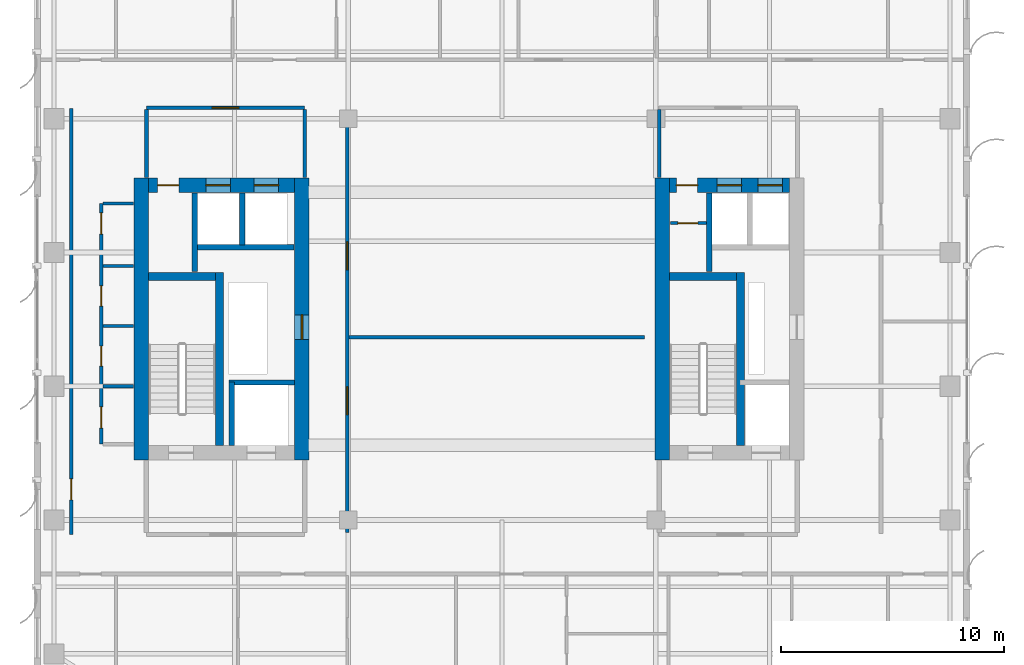
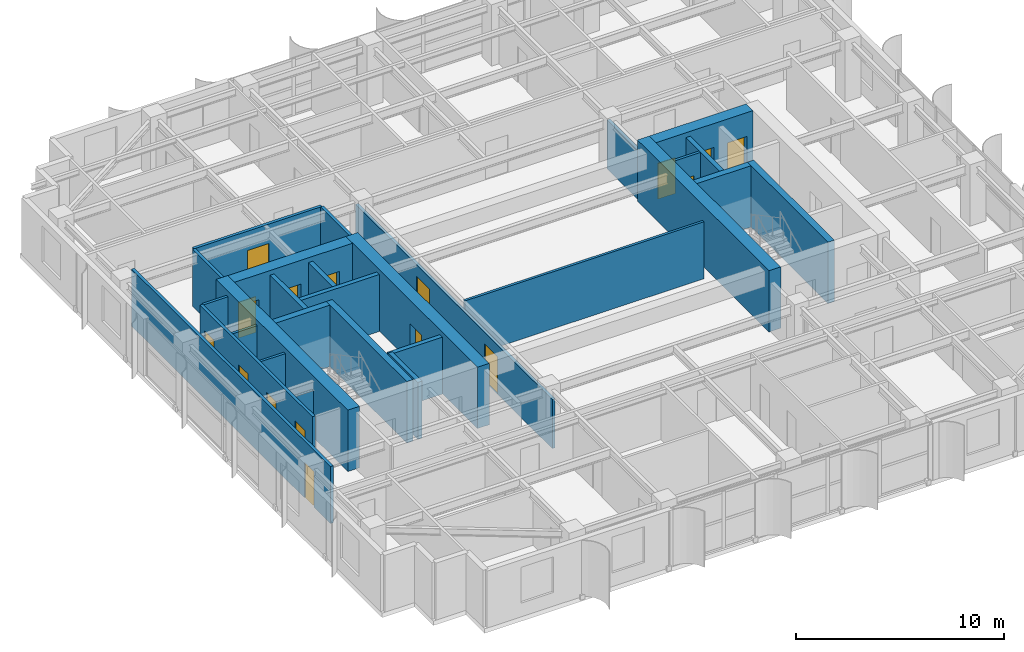
# One storey, part 20 of 25: 28 walls, 16 doors, 16 openings.
"""IFC4 building model written with IfcOpenShell, lengths in metres."""

from ifc_helpers import new_model, si_unit, direction, frame, frame_2d, origin, place, context, subcontext, project, spatial, rectangle, extrude, source, transform, mapped, material, layer, layer_set, type_object, element, fill, save


model = new_model("IFC4")

# Units and contexts
model_context = context("Model", 3, precision=1e-05, world=origin(), true_north=direction((0.0, 1.0)))
body_context = subcontext(model_context, "Body", "Model", "MODEL_VIEW")
ifc_project = project(units=[si_unit("LENGTHUNIT", "METRE"), si_unit("AREAUNIT", "SQUARE_METRE"), si_unit("VOLUMEUNIT", "CUBIC_METRE"), si_unit("PLANEANGLEUNIT", "RADIAN"), si_unit("MASSUNIT", "GRAM", prefix="KILO")], contexts=[model_context])

# Site, building, storey
site_placement = place(None, origin())
site = spatial("IfcSite", under=ifc_project, at=site_placement, CompositionType="ELEMENT")
building_placement = place(site_placement, origin())
building = spatial("IfcBuilding", under=site, at=building_placement, Name="Khoralis Quay Care Tower", CompositionType="ELEMENT")
storey_placement = place(building_placement, frame((0.0, 0.0, 166.5)))
storey = spatial("IfcBuildingStorey", under=building, at=storey_placement, Name="L43", CompositionType="ELEMENT", Elevation=166.5)

# Wall
ifc_material_1 = material(Name="Concrete C65/80", Category="concrete")
ifc_layer_1 = layer(ifc_material_1, 0.64990234375)
ifc_layer_set_1 = layer_set([ifc_layer_1], Name="Concrete C65/80")
wall_type_1 = type_object("IfcWallType", Name="WL-CORE-650", PredefinedType="SHEAR", material=ifc_layer_set_1)
wall_1_placement = place(storey_placement, frame((7.824951171875, 14.699951171875, 0.0), z_axis=(0.0, 0.0, 1.0), x_axis=(0.0, 1.0, 0.0)))
element("IfcWall", 1, at=wall_1_placement, inside=storey, type_object=wall_type_1, Name="L43 WCORE West Shear Wall", PredefinedType="SHEAR", context=body_context, shape_type="SweptSolid", body=[
    extrude(rectangle(XDim=12.650146484375, YDim=0.64990234375, at=frame_2d((6.3251953125, 0.0))), origin(), (0.0, 0.0, 1.0), 3.60009765625),
])

# Wall, opening, door
wall_2_placement = place(storey_placement, frame((15.02490234375, 14.699951171875, 0.0), z_axis=(0.0, 0.0, 1.0), x_axis=(0.0, 1.0, 0.0)))
wall_2 = element("IfcWall", 2, at=wall_2_placement, inside=storey, type_object=wall_type_1, Name="L43 WCORE East Shear Wall", PredefinedType="SHEAR", context=body_context, shape_type="SweptSolid", body=[
    extrude(rectangle(XDim=12.650146484375, YDim=0.64990234375, at=frame_2d((6.3251953125, 0.0))), origin(), (0.0, 0.0, 1.0), 3.60009765625),
])
opening_1_placement = place(wall_2_placement, frame((5.39990234375, 0.0, 0.0)))
opening_1 = element("IfcOpeningElement", 3, at=opening_1_placement, cuts=wall_2, Name="Opening SD1", PredefinedType="OPENING", context=body_context, shape_type="SweptSolid", body=[
    extrude(rectangle(XDim=1.10009765625, YDim=2.199951171875, at=frame_2d((0.550048828125, 1.10009765625))), frame((0.0, 0.3349609375, 0.0), z_axis=(0.0, -1.0, 0.0), x_axis=(1.0, 0.0, 0.0)), (0.0, 0.0, 1.0), 0.669921875),
])
ifc_material_2 = material(Name="Fire-rated painted steel", Category="steel")
door_type_1 = type_object("IfcDoorType", Name="DR-STAIR-1100X2200", OperationType="NOTDEFINED", PredefinedType="DOOR", material=ifc_material_2)
shared_shape_1 = source(origin(), body_context, "Body", "SweptSolid", [
    extrude(rectangle(XDim=1.10009765625, YDim=2.199951171875, at=frame_2d((0.550048828125, 1.10009765625))), frame((0.0, 0.02490234375, 0.0), z_axis=(0.0, -1.0, 0.0), x_axis=(1.0, 0.0, 0.0)), (0.0, 0.0, 1.0), 0.050048828125),
])
door_1_placement = place(opening_1_placement, origin())
door_1 = element("IfcDoor", 4, at=door_1_placement, inside=storey, type_object=door_type_1, Name="L43 West MEP Riser Door", OperationType="SINGLE_SWING_LEFT", OverallHeight=2.199951171875, OverallWidth=1.10009765625, PredefinedType="DOOR", context=body_context, shape_type="MappedRepresentation", body=[
    mapped(shared_shape_1, transform((0.0, 0.0, 0.0), scale=1.0)),
])
fill(opening_1, door_1)

# Wall, openings, doors
wall_3_placement = place(storey_placement, frame((8.14990234375, 27.02490234375, 0.0), z_axis=(0.0, 0.0, 1.0), x_axis=(1.0, 0.0, 0.0)))
wall_3 = element("IfcWall", 5, at=wall_3_placement, inside=storey, type_object=wall_type_1, Name="L43 WCORE North Shear Wall", PredefinedType="SHEAR", context=body_context, shape_type="SweptSolid", body=[
    extrude(rectangle(XDim=6.550048828125, YDim=0.64990234375, at=frame_2d((3.27490234375, 0.0))), origin(), (0.0, 0.0, 1.0), 3.60009765625),
])
opening_2_placement = place(wall_3_placement, frame((0.39990234375, 0.0, 0.0)))
opening_2 = element("IfcOpeningElement", 6, at=opening_2_placement, cuts=wall_3, Name="Opening ID1", PredefinedType="OPENING", context=body_context, shape_type="SweptSolid", body=[
    extrude(rectangle(XDim=0.949951171875, YDim=2.10009765625, at=frame_2d((0.47509765625, 1.050048828125))), frame((0.0, 0.3349609375, 0.0), z_axis=(0.0, -1.0, 0.0), x_axis=(1.0, 0.0, 0.0)), (0.0, 0.0, 1.0), 0.669921875),
])
opening_3_placement = place(wall_3_placement, frame((2.570068359375, 0.0, 0.0)))
opening_3 = element("IfcOpeningElement", 7, at=opening_3_placement, cuts=wall_3, Name="Opening LD1", PredefinedType="OPENING", context=body_context, shape_type="SweptSolid", body=[
    extrude(rectangle(XDim=1.10009765625, YDim=2.199951171875, at=frame_2d((0.550048828125, 1.10009765625))), frame((0.0, 0.3349609375, 0.0), z_axis=(0.0, -1.0, 0.0), x_axis=(1.0, 0.0, 0.0)), (0.0, 0.0, 1.0), 0.669921875),
])
opening_4_placement = place(wall_3_placement, frame((4.72998046875, 0.0, 0.0)))
opening_4 = element("IfcOpeningElement", 8, at=opening_4_placement, cuts=wall_3, Name="Opening LD1", PredefinedType="OPENING", context=body_context, shape_type="SweptSolid", body=[
    extrude(rectangle(XDim=1.10009765625, YDim=2.199951171875, at=frame_2d((0.550048828125, 1.10009765625))), frame((0.0, 0.3349609375, 0.0), z_axis=(0.0, -1.0, 0.0), x_axis=(1.0, 0.0, 0.0)), (0.0, 0.0, 1.0), 0.669921875),
])
ifc_material_3 = material(Name="Brushed stainless steel", Category="steel")
door_type_2 = type_object("IfcDoorType", Name="DR-LIFT-1100X2200", OperationType="SLIDING_TO_LEFT", PredefinedType="DOOR", material=ifc_material_3)
shared_shape_2 = source(origin(), body_context, "Body", "SweptSolid", [
    extrude(rectangle(XDim=1.10009765625, YDim=2.199951171875, at=frame_2d((0.550048828125, 1.10009765625))), frame((0.0, 0.02490234375, 0.0), z_axis=(0.0, -1.0, 0.0), x_axis=(1.0, 0.0, 0.0)), (0.0, 0.0, 1.0), 0.050048828125),
])
door_2_placement = place(opening_3_placement, origin())
door_2 = element("IfcDoor", 9, at=door_2_placement, inside=storey, type_object=door_type_2, Name="L43 Lift PLM1 Landing Door", OperationType="SLIDING_TO_LEFT", OverallHeight=2.199951171875, OverallWidth=1.10009765625, PredefinedType="DOOR", context=body_context, shape_type="MappedRepresentation", body=[
    mapped(shared_shape_2, transform((0.0, 0.0, 0.0), scale=1.0)),
])
fill(opening_3, door_2)
door_3_placement = place(opening_4_placement, origin())
door_3 = element("IfcDoor", 10, at=door_3_placement, inside=storey, type_object=door_type_2, Name="L43 Lift PLH1 Landing Door", OperationType="SLIDING_TO_LEFT", OverallHeight=2.199951171875, OverallWidth=1.10009765625, PredefinedType="DOOR", context=body_context, shape_type="MappedRepresentation", body=[
    mapped(shared_shape_2, transform((0.0, 0.0, 0.0), scale=1.0)),
])
fill(opening_4, door_3)
ifc_material_4 = material(Name="Acoustic hardwood timber", Category="wood")
door_type_3 = type_object("IfcDoorType", Name="DR-ROOM-950X2100", OperationType="NOTDEFINED", PredefinedType="DOOR", material=ifc_material_4)
shared_shape_3 = source(origin(), body_context, "Body", "SweptSolid", [
    extrude(rectangle(XDim=0.949951171875, YDim=2.10009765625, at=frame_2d((0.47509765625, 1.050048828125))), frame((0.0, 0.02490234375, 0.0), z_axis=(0.0, -1.0, 0.0), x_axis=(1.0, 0.0, 0.0)), (0.0, 0.0, 1.0), 0.050048828125),
])
door_4_placement = place(opening_2_placement, frame((0.949951171875, 0.0, 0.0), z_axis=(0.0, 0.0, 1.0), x_axis=(-1.0, 0.0, 0.0)))
door_4 = element("IfcDoor", 11, at=door_4_placement, inside=storey, type_object=door_type_3, Name="L43 Medication Room Door", OperationType="SINGLE_SWING_LEFT", OverallHeight=2.10009765625, OverallWidth=0.949951171875, PredefinedType="DOOR", context=body_context, shape_type="MappedRepresentation", body=[
    mapped(shared_shape_3, transform((0.0, 0.0, 0.0), scale=1.0)),
])
fill(opening_2, door_4)

# Wall
wall_4_placement = place(storey_placement, frame((31.195068359375, 14.699951171875, 0.0), z_axis=(0.0, 0.0, 1.0), x_axis=(0.0, 1.0, 0.0)))
element("IfcWall", 12, at=wall_4_placement, inside=storey, type_object=wall_type_1, Name="L43 ECORE West Shear Wall", PredefinedType="SHEAR", context=body_context, shape_type="SweptSolid", body=[
    extrude(rectangle(XDim=12.650146484375, YDim=0.64990234375, at=frame_2d((6.3251953125, 0.0))), origin(), (0.0, 0.0, 1.0), 3.60009765625),
])

# Wall, openings, doors
wall_5_placement = place(storey_placement, frame((31.52001953125, 27.02490234375, 0.0), z_axis=(0.0, 0.0, 1.0), x_axis=(1.0, 0.0, 0.0)))
wall_5 = element("IfcWall", 13, at=wall_5_placement, inside=storey, type_object=wall_type_1, Name="L43 ECORE North Shear Wall", PredefinedType="SHEAR", context=body_context, shape_type="SweptSolid", body=[
    extrude(rectangle(XDim=5.3798828125, YDim=0.64990234375, at=frame_2d((2.68994140625, 0.0))), origin(), (0.0, 0.0, 1.0), 3.60009765625),
])
opening_5_placement = place(wall_5_placement, frame((0.300048828125, 0.0, 0.0)))
opening_5 = element("IfcOpeningElement", 14, at=opening_5_placement, cuts=wall_5, Name="Opening ID1", PredefinedType="OPENING", context=body_context, shape_type="SweptSolid", body=[
    extrude(rectangle(XDim=0.949951171875, YDim=2.10009765625, at=frame_2d((0.47509765625, 1.050048828125))), frame((0.0, 0.3349609375, 0.0), z_axis=(0.0, -1.0, 0.0), x_axis=(1.0, 0.0, 0.0)), (0.0, 0.0, 1.0), 0.669921875),
])
opening_6_placement = place(wall_5_placement, frame((2.1298828125, 0.0, 0.0)))
opening_6 = element("IfcOpeningElement", 15, at=opening_6_placement, cuts=wall_5, Name="Opening LD1", PredefinedType="OPENING", context=body_context, shape_type="SweptSolid", body=[
    extrude(rectangle(XDim=1.10009765625, YDim=2.199951171875, at=frame_2d((0.550048828125, 1.10009765625))), frame((0.0, 0.3349609375, 0.0), z_axis=(0.0, -1.0, 0.0), x_axis=(1.0, 0.0, 0.0)), (0.0, 0.0, 1.0), 0.669921875),
])
opening_7_placement = place(wall_5_placement, frame((3.9599609375, 0.0, 0.0)))
opening_7 = element("IfcOpeningElement", 16, at=opening_7_placement, cuts=wall_5, Name="Opening LD1", PredefinedType="OPENING", context=body_context, shape_type="SweptSolid", body=[
    extrude(rectangle(XDim=1.10009765625, YDim=2.199951171875, at=frame_2d((0.550048828125, 1.10009765625))), frame((0.0, 0.3349609375, 0.0), z_axis=(0.0, -1.0, 0.0), x_axis=(1.0, 0.0, 0.0)), (0.0, 0.0, 1.0), 0.669921875),
])
door_5_placement = place(opening_6_placement, origin())
door_5 = element("IfcDoor", 17, at=door_5_placement, inside=storey, type_object=door_type_2, Name="L43 Lift PLM2 Landing Door", OperationType="SLIDING_TO_LEFT", OverallHeight=2.199951171875, OverallWidth=1.10009765625, PredefinedType="DOOR", context=body_context, shape_type="MappedRepresentation", body=[
    mapped(shared_shape_2, transform((0.0, 0.0, 0.0), scale=1.0)),
])
fill(opening_6, door_5)
door_6_placement = place(opening_7_placement, origin())
door_6 = element("IfcDoor", 18, at=door_6_placement, inside=storey, type_object=door_type_2, Name="L43 Lift PLH2 Landing Door", OperationType="SLIDING_TO_LEFT", OverallHeight=2.199951171875, OverallWidth=1.10009765625, PredefinedType="DOOR", context=body_context, shape_type="MappedRepresentation", body=[
    mapped(shared_shape_2, transform((0.0, 0.0, 0.0), scale=1.0)),
])
fill(opening_7, door_6)
door_7_placement = place(opening_5_placement, frame((0.949951171875, 0.0, 0.0), z_axis=(0.0, 0.0, 1.0), x_axis=(-1.0, 0.0, 0.0)))
door_7 = element("IfcDoor", 19, at=door_7_placement, inside=storey, type_object=door_type_3, Name="L43 Nutrition Store Door", OperationType="SINGLE_SWING_RIGHT", OverallHeight=2.10009765625, OverallWidth=0.949951171875, PredefinedType="DOOR", context=body_context, shape_type="MappedRepresentation", body=[
    mapped(shared_shape_3, transform((0.0, 0.0, 0.0), scale=1.0)),
])
fill(opening_5, door_7)

# Wall, opening, door
ifc_material_5 = material(Name="Gypsum plasterboard on acoustic metal stud")
ifc_layer_2 = layer(ifc_material_5, 0.1650390625)
ifc_layer_set_2 = layer_set([ifc_layer_2], Name="Gypsum plasterboard on acoustic metal stud")
wall_type_2 = type_object("IfcWallType", Name="WL-CORR-165", PredefinedType="PARTITIONING", material=ifc_layer_set_2)
wall_6_placement = place(storey_placement, frame((8.050048828125, 30.5, 0.0), z_axis=(0.0, 0.0, 1.0), x_axis=(1.0, 0.0, 0.0)))
wall_6 = element("IfcWall", 20, at=wall_6_placement, inside=storey, type_object=wall_type_2, Name="L43 West Lift Lobby North Wall", PredefinedType="PARTITIONING", context=body_context, shape_type="SweptSolid", body=[
    extrude(rectangle(XDim=7.099853515625, YDim=0.1650390625, at=frame_2d((3.5498046875, 0.0))), origin(), (0.0, 0.0, 1.0), 3.340087890625),
])
opening_8_placement = place(wall_6_placement, frame((2.949951171875, 0.0, 0.0)))
opening_8 = element("IfcOpeningElement", 21, at=opening_8_placement, cuts=wall_6, Name="Opening FD1", PredefinedType="OPENING", context=body_context, shape_type="SweptSolid", body=[
    extrude(rectangle(XDim=1.199951171875, YDim=2.199951171875, at=frame_2d((0.60009765625, 1.10009765625))), frame((0.0, 0.092529296875, 0.0), z_axis=(0.0, -1.0, 0.0), x_axis=(1.0, 0.0, 0.0)), (0.0, 0.0, 1.0), 0.18505859375),
])
door_type_4 = type_object("IfcDoorType", Name="DR-FFL-1200X2200", OperationType="NOTDEFINED", PredefinedType="DOOR", material=ifc_material_2)
shared_shape_4 = source(origin(), body_context, "Body", "SweptSolid", [
    extrude(rectangle(XDim=1.199951171875, YDim=2.199951171875, at=frame_2d((0.60009765625, 1.10009765625))), frame((0.0, 0.02490234375, 0.0), z_axis=(0.0, -1.0, 0.0), x_axis=(1.0, 0.0, 0.0)), (0.0, 0.0, 1.0), 0.050048828125),
])
door_8_placement = place(opening_8_placement, origin())
door_8 = element("IfcDoor", 22, at=door_8_placement, inside=storey, type_object=door_type_4, Name="L43 West Lift Lobby Double Door", OperationType="DOUBLE_DOOR_SINGLE_SWING", OverallHeight=2.199951171875, OverallWidth=1.199951171875, PredefinedType="DOOR", context=body_context, shape_type="MappedRepresentation", body=[
    mapped(shared_shape_4, transform((0.0, 0.0, 0.0), scale=1.0)),
])
fill(opening_8, door_8)

# Walls
for number, where, z_axis, x_axis, name in (
    (23, (8.050048828125, 27.3701171875, 0.0), (0.0, 0.0, 1.0), (0.0, 1.0, 0.0), "L43 West Lift Lobby West Wall"),
    (24, (15.14990234375, 27.3701171875, 0.0), (0.0, 0.0, 1.0), (0.0, 1.0, 0.0), "L43 West Lift Lobby East Wall"),
):
    element("IfcWall", number, at=place(storey_placement, frame(where, z_axis=z_axis, x_axis=x_axis)), inside=storey, type_object=wall_type_2, Name=name, PredefinedType="PARTITIONING", context=body_context, shape_type="SweptSolid", body=[
        extrude(rectangle(XDim=3.052490234375, YDim=0.1650390625, at=frame_2d((1.5263671875, 0.0))), origin(), (0.0, 0.0, 1.0), 3.340087890625),
    ])
wall_7_placement = place(storey_placement, frame((31.050048828125, 27.3701171875, 0.0), z_axis=(0.0, 0.0, 1.0), x_axis=(0.0, 1.0, 0.0)))
element("IfcWall", 25, at=wall_7_placement, inside=storey, type_object=wall_type_2, Name="L43 East Lift Lobby West Wall", PredefinedType="PARTITIONING", context=body_context, shape_type="SweptSolid", body=[
    extrude(rectangle(XDim=3.052490234375, YDim=0.1650390625, at=frame_2d((1.5263671875, 0.0))), origin(), (0.0, 0.0, 1.0), 2.876953125),
])

# Wall, openings, doors
wall_8_placement = place(storey_placement, frame((6.02001953125, 15.39990234375, 0.0), z_axis=(0.0, 0.0, 1.0), x_axis=(0.0, 1.0, 0.0)))
wall_8 = element("IfcWall", 26, at=wall_8_placement, inside=storey, type_object=wall_type_2, Name="L43 West Core Service Flank Wall", PredefinedType="PARTITIONING", context=body_context, shape_type="SweptSolid", body=[
    extrude(rectangle(XDim=10.800048828125, YDim=0.1650390625, at=frame_2d((5.39990234375, 0.0))), origin(), (0.0, 0.0, 1.0), 3.340087890625),
])
opening_9_placement = place(wall_8_placement, frame((0.72509765625, 0.0, 0.0)))
opening_9 = element("IfcOpeningElement", 27, at=opening_9_placement, cuts=wall_8, Name="Opening ID1", PredefinedType="OPENING", context=body_context, shape_type="SweptSolid", body=[
    extrude(rectangle(XDim=0.949951171875, YDim=2.10009765625, at=frame_2d((0.47509765625, 1.050048828125))), frame((0.0, 0.092529296875, 0.0), z_axis=(0.0, -1.0, 0.0), x_axis=(1.0, 0.0, 0.0)), (0.0, 0.0, 1.0), 0.18505859375),
])
opening_10_placement = place(wall_8_placement, frame((3.5, 0.0, 0.0)))
opening_10 = element("IfcOpeningElement", 28, at=opening_10_placement, cuts=wall_8, Name="Opening WD1", PredefinedType="OPENING", context=body_context, shape_type="SweptSolid", body=[
    extrude(rectangle(XDim=0.89990234375, YDim=2.10009765625, at=frame_2d((0.449951171875, 1.050048828125))), frame((0.0, 0.092529296875, 0.0), z_axis=(0.0, -1.0, 0.0), x_axis=(1.0, 0.0, 0.0)), (0.0, 0.0, 1.0), 0.18505859375),
])
opening_11_placement = place(wall_8_placement, frame((6.199951171875, 0.0, 0.0)))
opening_11 = element("IfcOpeningElement", 29, at=opening_11_placement, cuts=wall_8, Name="Opening WD1", PredefinedType="OPENING", context=body_context, shape_type="SweptSolid", body=[
    extrude(rectangle(XDim=0.89990234375, YDim=2.10009765625, at=frame_2d((0.449951171875, 1.050048828125))), frame((0.0, 0.092529296875, 0.0), z_axis=(0.0, -1.0, 0.0), x_axis=(1.0, 0.0, 0.0)), (0.0, 0.0, 1.0), 0.18505859375),
])
opening_12_placement = place(wall_8_placement, frame((9.425048828125, 0.0, 0.0)))
opening_12 = element("IfcOpeningElement", 30, at=opening_12_placement, cuts=wall_8, Name="Opening ID1", PredefinedType="OPENING", context=body_context, shape_type="SweptSolid", body=[
    extrude(rectangle(XDim=0.949951171875, YDim=2.10009765625, at=frame_2d((0.47509765625, 1.050048828125))), frame((0.0, 0.092529296875, 0.0), z_axis=(0.0, -1.0, 0.0), x_axis=(1.0, 0.0, 0.0)), (0.0, 0.0, 1.0), 0.18505859375),
])
door_type_5 = type_object("IfcDoorType", Name="DR-BATH-900X2100", OperationType="NOTDEFINED", PredefinedType="DOOR", material=ifc_material_4)
shared_shape_5 = source(origin(), body_context, "Body", "SweptSolid", [
    extrude(rectangle(XDim=0.89990234375, YDim=2.10009765625, at=frame_2d((0.449951171875, 1.050048828125))), frame((0.0, 0.02490234375, 0.0), z_axis=(0.0, -1.0, 0.0), x_axis=(1.0, 0.0, 0.0)), (0.0, 0.0, 1.0), 0.050048828125),
])
door_9_placement = place(opening_10_placement, frame((0.89990234375, 0.0, 0.0), z_axis=(0.0, 0.0, 1.0), x_axis=(-1.0, 0.0, 0.0)))
door_9 = element("IfcDoor", 31, at=door_9_placement, inside=storey, type_object=door_type_5, Name="L43 Public Accessible WC Door", OperationType="SINGLE_SWING_LEFT", OverallHeight=2.10009765625, OverallWidth=0.89990234375, PredefinedType="DOOR", context=body_context, shape_type="MappedRepresentation", body=[
    mapped(shared_shape_5, transform((0.0, 0.0, 0.0), scale=1.0)),
])
fill(opening_10, door_9)
door_10_placement = place(opening_11_placement, frame((0.89990234375, 0.0, 0.0), z_axis=(0.0, 0.0, 1.0), x_axis=(-1.0, 0.0, 0.0)))
door_10 = element("IfcDoor", 32, at=door_10_placement, inside=storey, type_object=door_type_5, Name="L43 Staff Accessible WC Door", OperationType="SINGLE_SWING_RIGHT", OverallHeight=2.10009765625, OverallWidth=0.89990234375, PredefinedType="DOOR", context=body_context, shape_type="MappedRepresentation", body=[
    mapped(shared_shape_5, transform((0.0, 0.0, 0.0), scale=1.0)),
])
fill(opening_11, door_10)
door_11_placement = place(opening_9_placement, frame((0.949951171875, 0.0, 0.0), z_axis=(0.0, 0.0, 1.0), x_axis=(-1.0, 0.0, 0.0)))
door_11 = element("IfcDoor", 33, at=door_11_placement, inside=storey, type_object=door_type_3, Name="L43 Housekeeping Store Door", OperationType="SINGLE_SWING_RIGHT", OverallHeight=2.10009765625, OverallWidth=0.949951171875, PredefinedType="DOOR", context=body_context, shape_type="MappedRepresentation", body=[
    mapped(shared_shape_3, transform((0.0, 0.0, 0.0), scale=1.0)),
])
fill(opening_9, door_11)
door_12_placement = place(opening_12_placement, frame((0.949951171875, 0.0, 0.0), z_axis=(0.0, 0.0, 1.0), x_axis=(-1.0, 0.0, 0.0)))
door_12 = element("IfcDoor", 34, at=door_12_placement, inside=storey, type_object=door_type_3, Name="L43 Telecom IDF Room Door", OperationType="SINGLE_SWING_LEFT", OverallHeight=2.10009765625, OverallWidth=0.949951171875, PredefinedType="DOOR", context=body_context, shape_type="MappedRepresentation", body=[
    mapped(shared_shape_3, transform((0.0, 0.0, 0.0), scale=1.0)),
])
fill(opening_12, door_12)

wall_9_placement = place(storey_placement, frame((17.050048828125, 11.449951171875, 0.0), z_axis=(0.0, 0.0, 1.0), x_axis=(0.0, 1.0, 0.0)))
wall_9 = element("IfcWall", 35, at=wall_9_placement, inside=storey, type_object=wall_type_2, Name="L43 West Portal Spine Wall", PredefinedType="PARTITIONING", context=body_context, shape_type="SweptSolid", body=[
    extrude(rectangle(XDim=18.900146484375, YDim=0.1650390625, at=frame_2d((9.4501953125, 0.0))), origin(), (0.0, 0.0, 1.0), 2.876953125),
])
opening_13_placement = place(wall_9_placement, frame((5.27490234375, 0.0, 0.0)))
opening_13 = element("IfcOpeningElement", 36, at=opening_13_placement, cuts=wall_9, Name="Opening CD1", PredefinedType="OPENING", context=body_context, shape_type="SweptSolid", body=[
    extrude(rectangle(XDim=1.25, YDim=2.199951171875, at=frame_2d((0.625, 1.10009765625))), frame((0.0, 0.092529296875, 0.0), z_axis=(0.0, -1.0, 0.0), x_axis=(1.0, 0.0, 0.0)), (0.0, 0.0, 1.0), 0.18505859375),
])
opening_14_placement = place(wall_9_placement, frame((11.77490234375, 0.0, 0.0)))
opening_14 = element("IfcOpeningElement", 37, at=opening_14_placement, cuts=wall_9, Name="Opening CD1", PredefinedType="OPENING", context=body_context, shape_type="SweptSolid", body=[
    extrude(rectangle(XDim=1.25, YDim=2.199951171875, at=frame_2d((0.625, 1.10009765625))), frame((0.0, 0.092529296875, 0.0), z_axis=(0.0, -1.0, 0.0), x_axis=(1.0, 0.0, 0.0)), (0.0, 0.0, 1.0), 0.18505859375),
])
door_type_6 = type_object("IfcDoorType", Name="DR-CARE-1250X2200", OperationType="NOTDEFINED", PredefinedType="DOOR", material=ifc_material_4)
shared_shape_6 = source(origin(), body_context, "Body", "SweptSolid", [
    extrude(rectangle(XDim=1.25, YDim=2.199951171875, at=frame_2d((0.625, 1.10009765625))), frame((0.0, 0.02490234375, 0.0), z_axis=(0.0, -1.0, 0.0), x_axis=(1.0, 0.0, 0.0)), (0.0, 0.0, 1.0), 0.050048828125),
])
door_13_placement = place(opening_13_placement, origin())
door_13 = element("IfcDoor", 38, at=door_13_placement, inside=storey, type_object=door_type_6, Name="L43 Nurse Station Door", OperationType="SINGLE_SWING_LEFT", OverallHeight=2.199951171875, OverallWidth=1.25, PredefinedType="DOOR", context=body_context, shape_type="MappedRepresentation", body=[
    mapped(shared_shape_6, transform((0.0, 0.0, 0.0), scale=1.0)),
])
fill(opening_13, door_13)
door_14_placement = place(opening_14_placement, origin())
door_14 = element("IfcDoor", 39, at=door_14_placement, inside=storey, type_object=door_type_6, Name="L43 Activity Hall Door", OperationType="SINGLE_SWING_RIGHT", OverallHeight=2.199951171875, OverallWidth=1.25, PredefinedType="DOOR", context=body_context, shape_type="MappedRepresentation", body=[
    mapped(shared_shape_6, transform((0.0, 0.0, 0.0), scale=1.0)),
])
fill(opening_14, door_14)

# Wall, opening, door
wall_10_placement = place(storey_placement, frame((4.679931640625, 11.35009765625, 0.0), z_axis=(0.0, 0.0, 1.0), x_axis=(0.0, 1.0, 0.0)))
wall_10 = element("IfcWall", 40, at=wall_10_placement, inside=storey, type_object=wall_type_2, Name="L43 West Sunroom Wall", PredefinedType="PARTITIONING", context=body_context, shape_type="SweptSolid", body=[
    extrude(rectangle(XDim=19.099853515625, YDim=0.1650390625, at=frame_2d((9.5498046875, 0.0))), origin(), (0.0, 0.0, 1.0), 3.340087890625),
])
opening_15_placement = place(wall_10_placement, frame((1.550048828125, 0.0, 0.0)))
opening_15 = element("IfcOpeningElement", 41, at=opening_15_placement, cuts=wall_10, Name="Opening ID1", PredefinedType="OPENING", context=body_context, shape_type="SweptSolid", body=[
    extrude(rectangle(XDim=0.949951171875, YDim=2.10009765625, at=frame_2d((0.47509765625, 1.050048828125))), frame((0.0, 0.092529296875, 0.0), z_axis=(0.0, -1.0, 0.0), x_axis=(1.0, 0.0, 0.0)), (0.0, 0.0, 1.0), 0.18505859375),
])
door_15_placement = place(opening_15_placement, frame((0.949951171875, 0.0, 0.0), z_axis=(0.0, 0.0, 1.0), x_axis=(-1.0, 0.0, 0.0)))
door_15 = element("IfcDoor", 42, at=door_15_placement, inside=storey, type_object=door_type_3, Name="L43 West Sunroom Door", OperationType="SINGLE_SWING_LEFT", OverallHeight=2.10009765625, OverallWidth=0.949951171875, PredefinedType="DOOR", context=body_context, shape_type="MappedRepresentation", body=[
    mapped(shared_shape_3, transform((0.0, 0.0, 0.0), scale=1.0)),
])
fill(opening_15, door_15)

# Walls
ifc_material_6 = material(Name="Moisture-resistant gypsum and ceramic tile")
ifc_layer_3 = layer(ifc_material_6, 0.280029296875)
ifc_layer_set_3 = layer_set([ifc_layer_3], Name="Moisture-resistant gypsum and ceramic tile")
wall_type_3 = type_object("IfcWallType", Name="WL-PLUMB-280", PredefinedType="PLUMBINGWALL", material=ifc_layer_set_3)
wall_11_placement = place(storey_placement, frame((6.097412109375, 18.0, 0.0), z_axis=(0.0, 0.0, 1.0), x_axis=(1.0, 0.0, 0.0)))
element("IfcWall", 43, at=wall_11_placement, inside=storey, type_object=wall_type_3, Name="L43 West Flank Divider 1", PredefinedType="PLUMBINGWALL", context=body_context, shape_type="SweptSolid", body=[
    extrude(rectangle(XDim=1.362548828125, YDim=0.139892578125, at=frame_2d((0.68115234375, 0.0))), origin(), (0.0, 0.0, 1.0), 2.806884765625),
])
wall_12_placement = place(storey_placement, frame((6.097412109375, 20.699951171875, 0.0), z_axis=(0.0, 0.0, 1.0), x_axis=(1.0, 0.0, 0.0)))
element("IfcWall", 44, at=wall_12_placement, inside=storey, type_object=wall_type_3, Name="L43 West Flank Divider 2", PredefinedType="PLUMBINGWALL", context=body_context, shape_type="SweptSolid", body=[
    extrude(rectangle(XDim=1.362548828125, YDim=0.139892578125, at=frame_2d((0.68115234375, 0.0))), origin(), (0.0, 0.0, 1.0), 3.340087890625),
])
ifc_material_7 = material(Name="Concrete C40/50", Category="concrete")
ifc_layer_4 = layer(ifc_material_7, 0.35009765625)
ifc_layer_set_4 = layer_set([ifc_layer_4], Name="Concrete C40/50")
wall_type_4 = type_object("IfcWallType", Name="WL-SC-CORE-350", PredefinedType="SHEAR", material=ifc_layer_set_4)
wall_13_placement = place(storey_placement, frame((11.324951171875, 15.35009765625, 0.0), z_axis=(0.0, 0.0, 1.0), x_axis=(0.0, 1.0, 0.0)))
element("IfcWall", 45, at=wall_13_placement, inside=storey, type_object=wall_type_4, Name="L43 Stair ST-T1 Shear Baffle Wall East", PredefinedType="SHEAR", context=body_context, shape_type="SweptSolid", body=[
    extrude(rectangle(XDim=7.75, YDim=0.35009765625, at=frame_2d((3.875, 0.0))), origin(), (0.0, 0.0, 1.0), 3.60009765625),
])
wall_14_placement = place(storey_placement, frame((8.14990234375, 22.925048828125, 0.0), z_axis=(0.0, 0.0, 1.0), x_axis=(1.0, 0.0, 0.0)))
element("IfcWall", 46, at=wall_14_placement, inside=storey, type_object=wall_type_4, Name="L43 Stair ST-T1 Shear Baffle Wall North", PredefinedType="SHEAR", context=body_context, shape_type="SweptSolid", body=[
    extrude(rectangle(XDim=3.0, YDim=0.35009765625, at=frame_2d((1.5, 0.0))), origin(), (0.0, 0.0, 1.0), 3.60009765625),
])
wall_15_placement = place(storey_placement, frame((34.695068359375, 15.35009765625, 0.0), z_axis=(0.0, 0.0, 1.0), x_axis=(0.0, 1.0, 0.0)))
element("IfcWall", 47, at=wall_15_placement, inside=storey, type_object=wall_type_4, Name="L43 Stair ST-T2 Shear Baffle Wall East", PredefinedType="SHEAR", context=body_context, shape_type="SweptSolid", body=[
    extrude(rectangle(XDim=7.75, YDim=0.35009765625, at=frame_2d((3.875, 0.0))), origin(), (0.0, 0.0, 1.0), 3.60009765625),
])
wall_16_placement = place(storey_placement, frame((31.52001953125, 22.925048828125, 0.0), z_axis=(0.0, 0.0, 1.0), x_axis=(1.0, 0.0, 0.0)))
element("IfcWall", 48, at=wall_16_placement, inside=storey, type_object=wall_type_4, Name="L43 Stair ST-T2 Shear Baffle Wall North", PredefinedType="SHEAR", context=body_context, shape_type="SweptSolid", body=[
    extrude(rectangle(XDim=3.0, YDim=0.35009765625, at=frame_2d((1.5, 0.0))), origin(), (0.0, 0.0, 1.0), 3.60009765625),
])
ifc_layer_5 = layer(ifc_material_5, 0.239990234375)
ifc_layer_set_5 = layer_set([ifc_layer_5], Name="Gypsum plasterboard on acoustic metal stud")
wall_type_5 = type_object("IfcWallType", Name="WL-SHAFT-240", PredefinedType="PARTITIONING", material=ifc_layer_set_5)
wall_17_placement = place(storey_placement, frame((11.8798828125, 15.35009765625, 0.0), z_axis=(0.0, 0.0, 1.0), x_axis=(0.0, 1.0, 0.0)))
element("IfcWall", 49, at=wall_17_placement, inside=storey, type_object=wall_type_5, Name="L43 FFL-1 Shaft Wall West", PredefinedType="PARTITIONING", context=body_context, shape_type="SweptSolid", body=[
    extrude(rectangle(XDim=2.849853515625, YDim=0.239990234375, at=frame_2d((1.4248046875, 0.0))), origin(), (0.0, 0.0, 1.0), 3.340087890625),
])
wall_18_placement = place(storey_placement, frame((11.760009765625, 18.169921875, 0.0), z_axis=(0.0, 0.0, 1.0), x_axis=(1.0, 0.0, 0.0)))
element("IfcWall", 50, at=wall_18_placement, inside=storey, type_object=wall_type_5, Name="L43 FFL-1 Shaft Wall North", PredefinedType="PARTITIONING", context=body_context, shape_type="SweptSolid", body=[
    extrude(rectangle(XDim=2.919921875, YDim=0.239990234375, at=frame_2d((1.4599609375, 0.0))), origin(), (0.0, 0.0, 1.0), 3.340087890625),
])
wall_19_placement = place(storey_placement, frame((10.219970703125, 23.139892578125, 0.0), z_axis=(0.0, 0.0, 1.0), x_axis=(0.0, 1.0, 0.0)))
element("IfcWall", 51, at=wall_19_placement, inside=storey, type_object=wall_type_5, Name="L43 Reclaimed Bay Divider West", PredefinedType="PARTITIONING", context=body_context, shape_type="SweptSolid", body=[
    extrude(rectangle(XDim=3.5400390625, YDim=0.239990234375, at=frame_2d((1.77001953125, 0.0))), origin(), (0.0, 0.0, 1.0), 3.340087890625),
])
wall_20_placement = place(storey_placement, frame((10.3349609375, 24.22998046875, 0.0), z_axis=(0.0, 0.0, 1.0), x_axis=(1.0, 0.0, 0.0)))
element("IfcWall", 52, at=wall_20_placement, inside=storey, type_object=wall_type_5, Name="L43 Active Shaft South Wall West", PredefinedType="PARTITIONING", context=body_context, shape_type="SweptSolid", body=[
    extrude(rectangle(XDim=4.344970703125, YDim=0.239990234375, at=frame_2d((2.17236328125, 0.0))), origin(), (0.0, 0.0, 1.0), 3.340087890625),
])
wall_21_placement = place(storey_placement, frame((12.35009765625, 24.344970703125, 0.0), z_axis=(0.0, 0.0, 1.0), x_axis=(0.0, 1.0, 0.0)))
element("IfcWall", 53, at=wall_21_placement, inside=storey, type_object=wall_type_5, Name="L43 West Shaft Divider 2", PredefinedType="PARTITIONING", context=body_context, shape_type="SweptSolid", body=[
    extrude(rectangle(XDim=2.3349609375, YDim=0.239990234375, at=frame_2d((1.16748046875, 0.0))), origin(), (0.0, 0.0, 1.0), 3.340087890625),
])
wall_22_placement = place(storey_placement, frame((33.2900390625, 23.139892578125, 0.0), z_axis=(0.0, 0.0, 1.0), x_axis=(0.0, 1.0, 0.0)))
element("IfcWall", 54, at=wall_22_placement, inside=storey, type_object=wall_type_5, Name="L43 Reclaimed Bay Divider East", PredefinedType="PARTITIONING", context=body_context, shape_type="SweptSolid", body=[
    extrude(rectangle(XDim=3.5400390625, YDim=0.239990234375, at=frame_2d((1.77001953125, 0.0))), origin(), (0.0, 0.0, 1.0), 3.340087890625),
])

# Wall, opening, door
ifc_layer_6 = layer(ifc_material_5, 0.139892578125)
ifc_layer_set_6 = layer_set([ifc_layer_6], Name="Gypsum plasterboard on acoustic metal stud")
wall_type_6 = type_object("IfcWallType", Name="WL-UNIT-140", PredefinedType="PARTITIONING", material=ifc_layer_set_6)
wall_23_placement = place(storey_placement, frame((31.550048828125, 25.320068359375, 0.0), z_axis=(0.0, 0.0, 1.0), x_axis=(1.0, 0.0, 0.0)))
wall_23 = element("IfcWall", 55, at=wall_23_placement, inside=storey, type_object=wall_type_6, Name="L43 East Reclaimed Split Wall", PredefinedType="PARTITIONING", context=body_context, shape_type="SweptSolid", body=[
    extrude(rectangle(XDim=1.625, YDim=0.139892578125, at=frame_2d((0.8125, 0.0))), origin(), (0.0, 0.0, 1.0), 3.340087890625),
])
opening_16_placement = place(wall_23_placement, frame((0.340087890625, 0.0, 0.0)))
opening_16 = element("IfcOpeningElement", 56, at=opening_16_placement, cuts=wall_23, Name="Opening WD1", PredefinedType="OPENING", context=body_context, shape_type="SweptSolid", body=[
    extrude(rectangle(XDim=0.89990234375, YDim=2.10009765625, at=frame_2d((0.449951171875, 1.050048828125))), frame((0.0, 0.080078125, 0.0), z_axis=(0.0, -1.0, 0.0), x_axis=(1.0, 0.0, 0.0)), (0.0, 0.0, 1.0), 0.159912109375),
])
door_16_placement = place(opening_16_placement, frame((0.89990234375, 0.0, 0.0), z_axis=(0.0, 0.0, 1.0), x_axis=(-1.0, 0.0, 0.0)))
door_16 = element("IfcDoor", 57, at=door_16_placement, inside=storey, type_object=door_type_5, Name="L43 Sterile Store Door", OperationType="SINGLE_SWING_RIGHT", OverallHeight=2.10009765625, OverallWidth=0.89990234375, PredefinedType="DOOR", context=body_context, shape_type="MappedRepresentation", body=[
    mapped(shared_shape_5, transform((0.0, 0.0, 0.0), scale=1.0)),
])
fill(opening_16, door_16)

# Walls
for number, where, z_axis, x_axis, name in (
    (58, (6.097412109375, 26.199951171875, 0.0), (0.0, 0.0, 1.0), (1.0, 0.0, 0.0), "L43 West Flank North Cap"),
    (59, (6.097412109375, 23.39990234375, 0.0), (0.0, 0.0, 1.0), (1.0, 0.0, 0.0), "L43 West Flank Divider 3"),
):
    element("IfcWall", number, at=place(storey_placement, frame(where, z_axis=z_axis, x_axis=x_axis)), inside=storey, type_object=wall_type_6, Name=name, PredefinedType="PARTITIONING", context=body_context, shape_type="SweptSolid", body=[
        extrude(rectangle(XDim=1.362548828125, YDim=0.139892578125, at=frame_2d((0.68115234375, 0.0))), origin(), (0.0, 0.0, 1.0), 3.340087890625),
    ])
wall_24_placement = place(storey_placement, frame((17.12744140625, 20.199951171875, 0.0), z_axis=(0.0, 0.0, 1.0), x_axis=(1.0, 0.0, 0.0)))
element("IfcWall", 60, at=wall_24_placement, inside=storey, type_object=wall_type_6, Name="L43 Central Split", PredefinedType="PARTITIONING", context=body_context, shape_type="SweptSolid", body=[
    extrude(rectangle(XDim=13.2724609375, YDim=0.139892578125, at=frame_2d((6.63623046875, 0.0))), origin(), (0.0, 0.0, 1.0), 3.340087890625),
])

save(model, "model.ifc")
